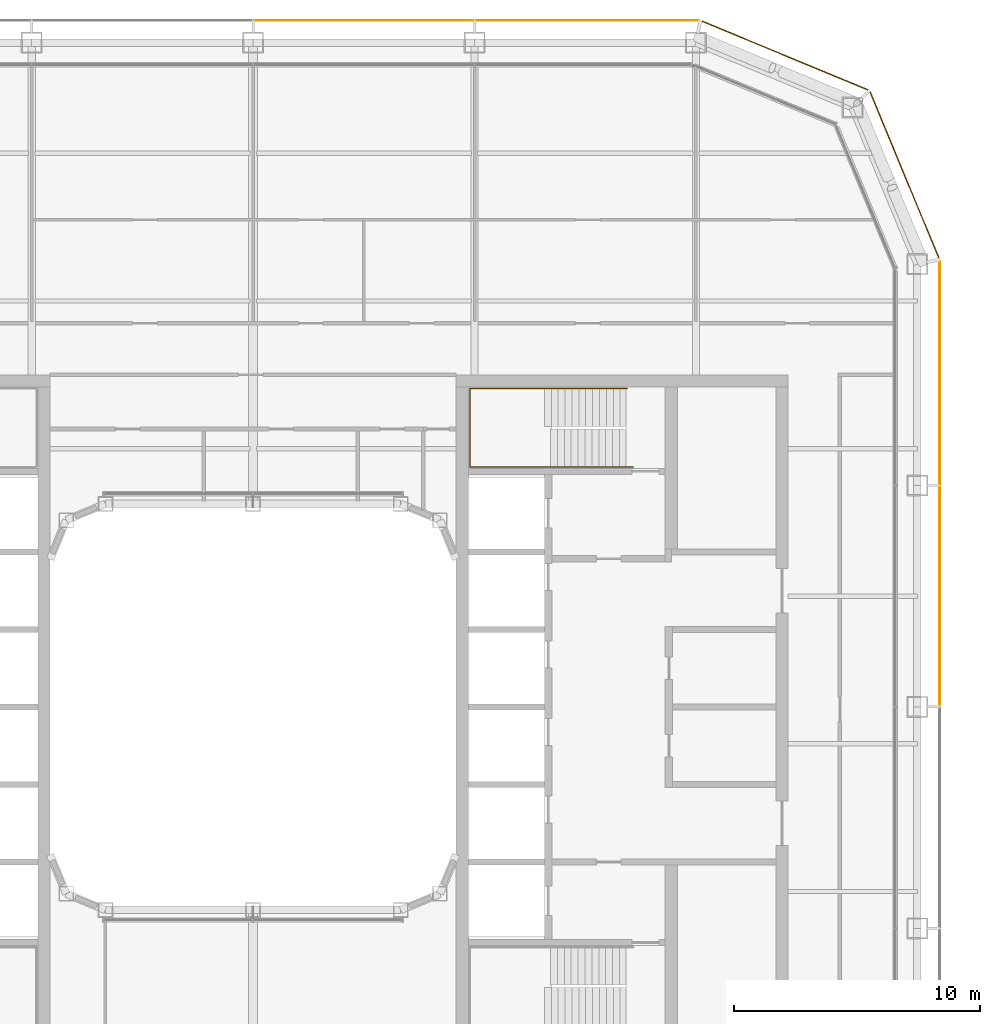
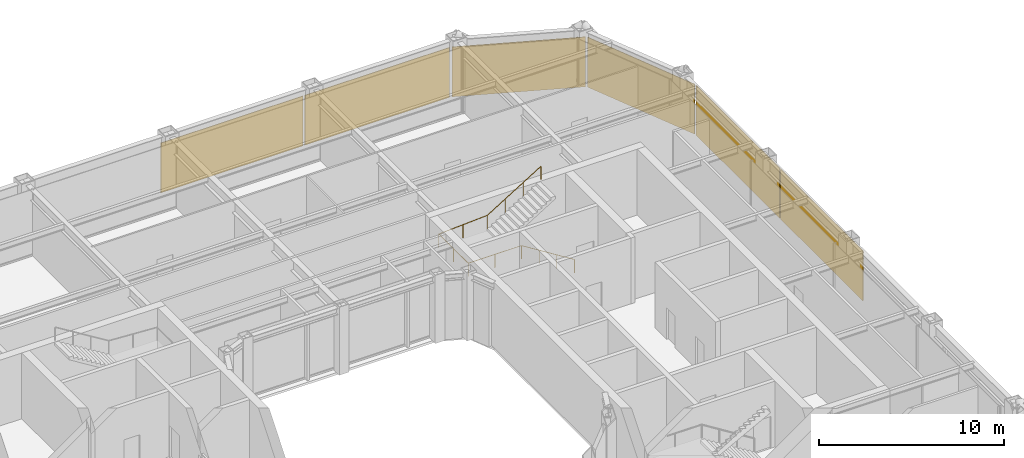
# One storey, part 21 of 22: 6 coverings, 1 railing.
"""IFC4 building model written with IfcOpenShell, lengths in metres."""

from ifc_helpers import new_model, si_unit, direction, frame, origin, origin_2d, place, context, subcontext, project, spatial, rectangle, circle, extrude, material, layer, layer_set, type_object, element, save


model = new_model("IFC4")

# Units and contexts
model_context = context("Model", 3, precision=1e-05, world=origin(), true_north=direction((0.0, 1.0)))
body_context = subcontext(model_context, "Body", "Model", "MODEL_VIEW")
ifc_project = project(units=[si_unit("LENGTHUNIT", "METRE"), si_unit("AREAUNIT", "SQUARE_METRE"), si_unit("VOLUMEUNIT", "CUBIC_METRE"), si_unit("PLANEANGLEUNIT", "RADIAN"), si_unit("MASSUNIT", "GRAM", prefix="KILO")], contexts=[model_context])

# Site, building, storey
site_placement = place(None, origin())
site = spatial("IfcSite", under=ifc_project, at=site_placement, CompositionType="ELEMENT")
building_placement = place(site_placement, origin())
building = spatial("IfcBuilding", under=site, at=building_placement, Name="Siwar Civic Tower", CompositionType="ELEMENT")
storey_placement = place(building_placement, frame((0.0, 0.0, 201.699951171875)))
storey = spatial("IfcBuildingStorey", under=building, at=storey_placement, Name="L43", CompositionType="ELEMENT", Elevation=201.699951171875)

# Railing
ifc_material_1 = material(Name="Stainless steel", Category="steel")
railing_type = type_object("IfcRailingType", Name="CORE-STAIR-HANDRAIL", PredefinedType="HANDRAIL", material=ifc_material_1)
railing_placement = place(storey_placement, frame((15.449951171875, 9.758056640625, 0.173095703125)))
element("IfcRailing", 1, at=railing_placement, inside=storey, type_object=railing_type, Name="Stair handrail ST3", PredefinedType="HANDRAIL", context=body_context, shape_type="SweptSolid", body=[
    extrude(circle(Radius=0.02001953125, at=origin_2d()), frame((0.0, 0.0, 0.8798828125), z_axis=(-0.847063342986, 0.0, 0.531491950051), x_axis=(0.0, -1.0, 0.0)), (0.0, 0.0, 1.0), 3.90771484375),
    extrude(circle(Radius=0.02001953125, at=origin_2d()), frame((-3.31005859375, 0.0, 2.956787109375), z_axis=(-1.0, 0.0, 0.0), x_axis=(0.0, -1.0, 0.0)), (0.0, 0.0, 1.0), 3.331787109375),
    extrude(circle(Radius=0.02001953125, at=origin_2d()), frame((-6.641845703125, 0.0, 2.956787109375), z_axis=(0.0, 1.0, 0.0), x_axis=(-1.0, 0.0, 0.0)), (0.0, 0.0, 1.0), 3.183837890625),
    extrude(circle(Radius=0.02001953125, at=origin_2d()), frame((-6.641845703125, 3.183837890625, 2.956787109375), z_axis=(0.99837434197, 0.0, 0.056997134106), x_axis=(0.0, 1.0, 0.0)), (0.0, 0.0, 1.0), 3.036865234375),
    extrude(circle(Radius=0.02001953125, at=origin_2d()), frame((-3.60986328125, 3.183837890625, 3.1298828125), z_axis=(0.850606129759, 0.0, 0.525803396734), x_axis=(0.0, 1.0, 0.0)), (0.0, 0.0, 1.0), 3.949951171875),
    extrude(circle(Radius=0.02001953125, at=origin_2d()), origin(), (0.0, 0.0, 1.0), 0.85986328125),
    extrude(circle(Radius=0.02001953125, at=origin_2d()), frame((-1.103271484375, 0.0, 0.6923828125)), (0.0, 0.0, 1.0), 0.85986328125),
    extrude(circle(Radius=0.02001953125, at=origin_2d()), frame((-2.206787109375, 0.0, 1.384521484375)), (0.0, 0.0, 1.0), 0.85986328125),
    extrude(circle(Radius=0.02001953125, at=origin_2d()), frame((-3.31005859375, 0.0, 2.076904296875)), (0.0, 0.0, 1.0), 0.85986328125),
    extrude(circle(Radius=0.02001953125, at=origin_2d()), frame((-4.97607421875, 0.0, 2.076904296875)), (0.0, 0.0, 1.0), 0.85986328125),
    extrude(circle(Radius=0.02001953125, at=origin_2d()), frame((-6.641845703125, 0.0, 2.076904296875)), (0.0, 0.0, 1.0), 0.85986328125),
    extrude(circle(Radius=0.02001953125, at=origin_2d()), frame((-6.641845703125, 1.591796875, 2.076904296875)), (0.0, 0.0, 1.0), 0.85986328125),
    extrude(circle(Radius=0.02001953125, at=origin_2d()), frame((-6.641845703125, 3.183837890625, 2.076904296875)), (0.0, 0.0, 1.0), 0.85986328125),
    extrude(circle(Radius=0.02001953125, at=origin_2d()), frame((-5.1259765625, 3.183837890625, 2.16357421875)), (0.0, 0.0, 1.0), 0.85986328125),
    extrude(circle(Radius=0.02001953125, at=origin_2d()), frame((-3.60986328125, 3.183837890625, 2.25)), (0.0, 0.0, 1.0), 0.85986328125),
    extrude(circle(Radius=0.02001953125, at=origin_2d()), frame((-2.489990234375, 3.183837890625, 2.9423828125)), (0.0, 0.0, 1.0), 0.85986328125),
    extrude(circle(Radius=0.02001953125, at=origin_2d()), frame((-1.369873046875, 3.183837890625, 3.634521484375)), (0.0, 0.0, 1.0), 0.85986328125),
    extrude(circle(Radius=0.02001953125, at=origin_2d()), frame((-0.25, 3.183837890625, 4.326904296875)), (0.0, 0.0, 1.0), 0.85986328125),
])

# Coverings
ifc_material_2 = material(Name="Perforated aluminium cassette, pale metal", Category="aluminium")
ifc_layer = layer(ifc_material_2, 0.0400390625)
ifc_layer_set = layer_set([ifc_layer], Name="Perforated aluminium cassette, pale metal")
covering_type = type_object("IfcCoveringType", Name="ENV-OUTER SKIN OS-1", PredefinedType="CLADDING", material=ifc_layer_set)
covering_1_placement = place(storey_placement, frame((27.89990234375, 4.5, -0.14990234375), z_axis=(0.0, 0.0, 1.0), x_axis=(0.0, 1.0, 0.0)))
element("IfcCovering", 2, at=covering_1_placement, inside=storey, type_object=covering_type, Name="OUTER SKIN OS-1 E 3", PredefinedType="CLADDING", context=body_context, shape_type="SweptSolid", body=[
    extrude(rectangle(XDim=8.89990234375, YDim=0.0400390625, at=origin_2d()), origin(), (0.0, 0.0, 1.0), 3.300048828125),
])
covering_2_placement = place(storey_placement, frame((27.89990234375, 13.57958984375, -0.14990234375), z_axis=(0.0, 0.0, 1.0), x_axis=(0.0, 1.0, 0.0)))
element("IfcCovering", 3, at=covering_2_placement, inside=storey, type_object=covering_type, Name="OUTER SKIN OS-1 E 4", PredefinedType="CLADDING", context=body_context, shape_type="SweptSolid", body=[
    extrude(rectangle(XDim=9.05908203125, YDim=0.0400390625, at=origin_2d()), origin(), (0.0, 0.0, 1.0), 3.300048828125),
])
for number, where, z_axis, x_axis, name in (
    (4, (26.476318359375, 21.615966796875, -0.14990234375), (0.0, 0.0, 1.0), (-0.382683432365, 0.923879532511, 0.0), "OUTER SKIN OS-1 NE1 1"),
    (5, (21.615966796875, 26.476318359375, -0.14990234375), (0.0, 0.0, 1.0), (-0.923879532511, 0.382683432365, 0.0), "OUTER SKIN OS-1 NE2 1"),
):
    element("IfcCovering", number, at=place(storey_placement, frame(where, z_axis=z_axis, x_axis=x_axis)), inside=storey, type_object=covering_type, Name=name, PredefinedType="CLADDING", context=body_context, shape_type="SweptSolid", body=[
        extrude(rectangle(XDim=7.300048828125, YDim=0.0400390625, at=origin_2d()), origin(), (0.0, 0.0, 1.0), 3.300048828125),
    ])
covering_3_placement = place(storey_placement, frame((13.57958984375, 27.89990234375, -0.14990234375), z_axis=(0.0, 0.0, 1.0), x_axis=(-1.0, 0.0, 0.0)))
element("IfcCovering", 6, at=covering_3_placement, inside=storey, type_object=covering_type, Name="OUTER SKIN OS-1 N 1", PredefinedType="CLADDING", context=body_context, shape_type="SweptSolid", body=[
    extrude(rectangle(XDim=9.05908203125, YDim=0.0400390625, at=origin_2d()), origin(), (0.0, 0.0, 1.0), 3.300048828125),
])
covering_4_placement = place(storey_placement, frame((4.5, 27.89990234375, -0.14990234375), z_axis=(0.0, 0.0, 1.0), x_axis=(-1.0, 0.0, 0.0)))
element("IfcCovering", 7, at=covering_4_placement, inside=storey, type_object=covering_type, Name="OUTER SKIN OS-1 N 2", PredefinedType="CLADDING", context=body_context, shape_type="SweptSolid", body=[
    extrude(rectangle(XDim=8.89990234375, YDim=0.0400390625, at=origin_2d()), origin(), (0.0, 0.0, 1.0), 3.300048828125),
])

save(model, "model.ifc")
